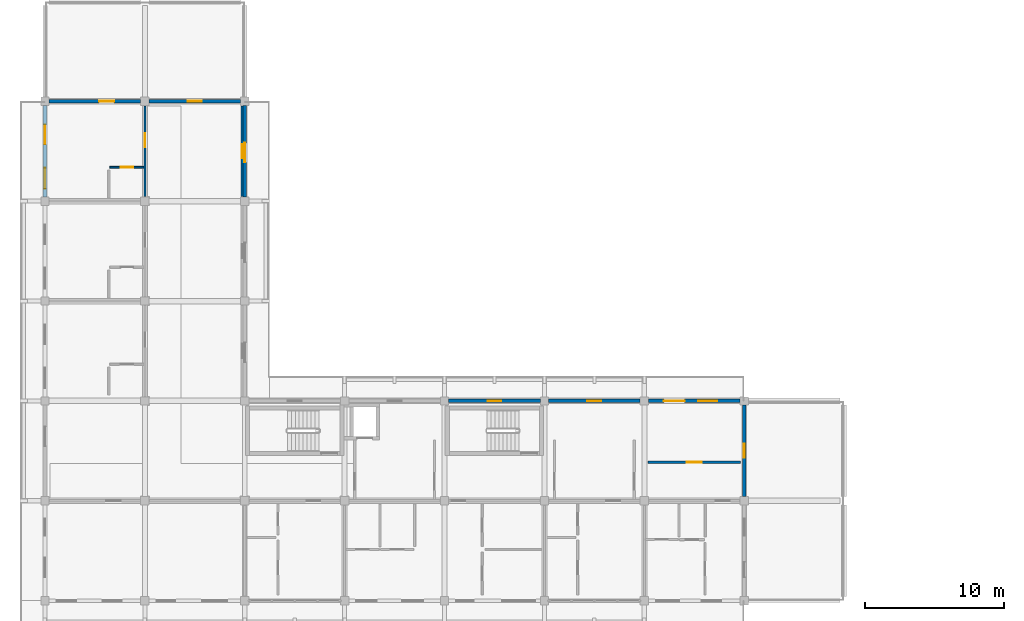
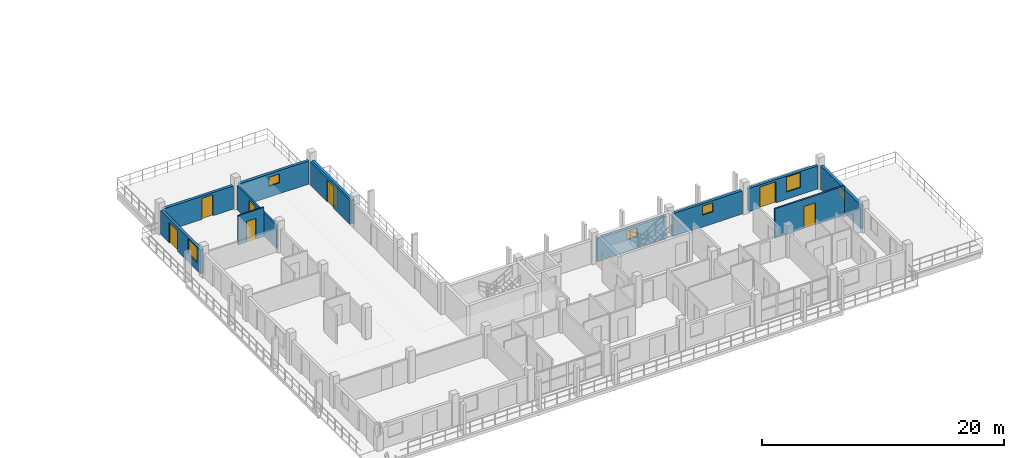
# One storey, part 43 of 78: 12 walls, 8 doors, 6 windows, 14 openings.
"""IFC4 building model written with IfcOpenShell, lengths in metres."""

from ifc_helpers import new_model, si_unit, direction, frame, frame_2d, origin, place, context, subcontext, project, spatial, rectangle, extrude, material, layer, layer_set, type_object, element, fill, save


model = new_model("IFC4")

# Units and contexts
model_context = context("Model", 3, precision=1e-05, world=origin(), true_north=direction((0.0, 1.0)))
body_context = subcontext(model_context, "Body", "Model", "MODEL_VIEW")
ifc_project = project(units=[si_unit("LENGTHUNIT", "METRE"), si_unit("AREAUNIT", "SQUARE_METRE"), si_unit("VOLUMEUNIT", "CUBIC_METRE"), si_unit("PLANEANGLEUNIT", "RADIAN"), si_unit("MASSUNIT", "GRAM", prefix="KILO")], contexts=[model_context])

# Site, building, storey
site_placement = place(None, origin())
site = spatial("IfcSite", under=ifc_project, at=site_placement, CompositionType="ELEMENT")
building_placement = place(site_placement, origin())
building = spatial("IfcBuilding", under=site, at=building_placement, Name="Suanplinth Sawtooth Commons", CompositionType="ELEMENT")
storey_placement = place(building_placement, frame((0.0, 0.0, 15.39990234375)))
storey = spatial("IfcBuildingStorey", under=building, at=storey_placement, Name="L04", CompositionType="ELEMENT", Elevation=15.39990234375)

# Wall, opening, door
ifc_material_1 = material(Name="Precast concrete C40/50", Category="concrete")
ifc_layer_1 = layer(ifc_material_1, 0.260009765625, Name="Insulated precast courtyard facade wall 260mm")
ifc_layer_set_1 = layer_set([ifc_layer_1], Name="Precast concrete C40/50")
wall_type_1 = type_object("IfcWallType", Name="W-EX02", PredefinedType="ELEMENTEDWALL", material=ifc_layer_set_1)
wall_1_placement = place(storey_placement, frame((0.300048828125, 36.0, 0.0), z_axis=(0.0, 0.0, 1.0), x_axis=(1.0, 0.0, 0.0)))
wall_1 = element("IfcWall", 1, at=wall_1_placement, inside=storey, type_object=wall_type_1, Name="Facade Wall W-L04-D-N-0-4", PredefinedType="ELEMENTEDWALL", context=body_context, shape_type="SweptSolid", body=[
    extrude(rectangle(XDim=6.599853515625, YDim=0.260009765625, at=frame_2d((3.2998046875, 0.0))), origin(), (0.0, 0.0, 1.0), 2.335205078125),
])
opening_1_placement = place(wall_1_placement, frame((3.60009765625, 0.0, 0.0)))
opening_1 = element("IfcOpeningElement", 2, at=opening_1_placement, cuts=wall_1, Name="Opening ED0384", PredefinedType="OPENING", context=body_context, shape_type="SweptSolid", body=[
    extrude(rectangle(XDim=1.080078125, YDim=2.1201171875, at=frame_2d((0.5400390625, 1.06005859375))), frame((0.0, 0.14501953125, 0.0), z_axis=(0.0, -1.0, 0.0), x_axis=(1.0, 0.0, 0.0)), (0.0, 0.0, 1.0), 0.289794921875),
])
ifc_material_2 = material(Name="Anodized aluminium and low-E glass", Category="aluminium")
door_type_1 = type_object("IfcDoorType", Name="ED-10", OperationType="NOTDEFINED", PredefinedType="DOOR", material=ifc_material_2)
door_1_placement = place(opening_1_placement, frame((1.080078125, 0.0, 0.0), z_axis=(0.0, 0.0, 1.0), x_axis=(-1.0, 0.0, 0.0)))
door_1 = element("IfcDoor", 3, at=door_1_placement, inside=storey, type_object=door_type_1, Name="L04 Block D Stepped Sky-Terrace Door 1", OperationType="SINGLE_SWING_RIGHT", OverallHeight=2.1201171875, OverallWidth=1.080078125, PredefinedType="DOOR", context=body_context, shape_type="SweptSolid", body=[
    extrude(rectangle(XDim=1.080078125, YDim=2.1201171875, at=frame_2d((0.5400390625, 1.06005859375))), frame((0.0, 0.02490234375, 0.0), z_axis=(0.0, -1.0, 0.0), x_axis=(1.0, 0.0, 0.0)), (0.0, 0.0, 1.0), 0.050048828125),
])
fill(opening_1, door_1)

# Wall, openings, door, window
wall_2_placement = place(storey_placement, frame((0.0, 29.10009765625, 0.0), z_axis=(0.0, 0.0, 1.0), x_axis=(0.0, 1.0, 0.0)))
wall_2 = element("IfcWall", 4, at=wall_2_placement, inside=storey, type_object=wall_type_1, Name="Facade Wall W-L04-D-W-0-4", PredefinedType="ELEMENTEDWALL", context=body_context, shape_type="SweptSolid", body=[
    extrude(rectangle(XDim=6.599853515625, YDim=0.260009765625, at=frame_2d((3.2998046875, 0.0))), origin(), (0.0, 0.0, 1.0), 2.43017578125),
])
opening_2_placement = place(wall_2_placement, frame((3.800048828125, 0.0, 0.0)))
opening_2 = element("IfcOpeningElement", 5, at=opening_2_placement, cuts=wall_2, Name="Opening ED0385", PredefinedType="OPENING", context=body_context, shape_type="SweptSolid", body=[
    extrude(rectangle(XDim=1.39990234375, YDim=2.10009765625, at=frame_2d((0.699951171875, 1.050048828125))), frame((0.0, 0.14501953125, 0.0), z_axis=(0.0, -1.0, 0.0), x_axis=(1.0, 0.0, 0.0)), (0.0, 0.0, 1.0), 0.289794921875),
])
opening_3_placement = place(wall_2_placement, frame((0.60009765625, 0.0, 0.81005859375)))
opening_3 = element("IfcOpeningElement", 6, at=opening_3_placement, cuts=wall_2, Name="Opening W0480", PredefinedType="OPENING", context=body_context, shape_type="SweptSolid", body=[
    extrude(rectangle(XDim=1.5, YDim=1.5, at=frame_2d((0.75, 0.75))), frame((0.0, 0.14501953125, 0.0), z_axis=(0.0, -1.0, 0.0), x_axis=(1.0, 0.0, 0.0)), (0.0, 0.0, 1.0), 0.289794921875),
])
door_type_2 = type_object("IfcDoorType", Name="SD-07", OperationType="SLIDING_TO_RIGHT", PredefinedType="DOOR", material=ifc_material_2)
door_2_placement = place(opening_2_placement, frame((1.39990234375, 0.0, 0.0), z_axis=(0.0, 0.0, 1.0), x_axis=(-1.0, 0.0, 0.0)))
door_2 = element("IfcDoor", 7, at=door_2_placement, inside=storey, type_object=door_type_2, Name="Wing Balcony Sliding Door L04-D-4", OperationType="SLIDING_TO_RIGHT", OverallHeight=2.10009765625, OverallWidth=1.39990234375, PredefinedType="DOOR", context=body_context, shape_type="SweptSolid", body=[
    extrude(rectangle(XDim=1.39990234375, YDim=2.10009765625, at=frame_2d((0.699951171875, 1.050048828125))), frame((0.0, 0.02490234375, 0.0), z_axis=(0.0, -1.0, 0.0), x_axis=(1.0, 0.0, 0.0)), (0.0, 0.0, 1.0), 0.050048828125),
])
fill(opening_2, door_2)
ifc_material_3 = material(Name="Thermally broken aluminium and low-E double glazing", Category="aluminium")
window_type_1 = type_object("IfcWindowType", Name="WN-02", PartitioningType="DOUBLE_PANEL_VERTICAL", PredefinedType="WINDOW", material=ifc_material_3)
window_1_placement = place(opening_3_placement, origin())
window_1 = element("IfcWindow", 8, at=window_1_placement, inside=storey, type_object=window_type_1, Name="Wing Window L04-D-4", OverallHeight=1.5, OverallWidth=1.5, PartitioningType="DOUBLE_PANEL_VERTICAL", PredefinedType="WINDOW", context=body_context, shape_type="SweptSolid", body=[
    extrude(rectangle(XDim=1.5, YDim=1.5, at=frame_2d((0.75, 0.75))), frame((0.0, 0.030029296875, 0.0), z_axis=(0.0, -1.0, 0.0), x_axis=(1.0, 0.0, 0.0)), (0.0, 0.0, 1.0), 0.06005859375),
])
fill(opening_3, window_1)

# Wall, opening, window
wall_3_placement = place(storey_placement, frame((7.5, 36.0, 0.0), z_axis=(0.0, 0.0, 1.0), x_axis=(1.0, 0.0, 0.0)))
wall_3 = element("IfcWall", 9, at=wall_3_placement, inside=storey, type_object=wall_type_1, Name="Facade Wall W-L04-D-N-1-4", PredefinedType="ELEMENTEDWALL", context=body_context, shape_type="SweptSolid", body=[
    extrude(rectangle(XDim=6.60009765625, YDim=0.260009765625, at=frame_2d((3.300048828125, 0.0))), origin(), (0.0, 0.0, 1.0), 2.335205078125),
])
opening_4_placement = place(wall_3_placement, frame((2.800048828125, 0.0, 1.10009765625)))
opening_4 = element("IfcOpeningElement", 10, at=opening_4_placement, cuts=wall_3, Name="Opening W0482", PredefinedType="OPENING", context=body_context, shape_type="SweptSolid", body=[
    extrude(rectangle(XDim=1.0, YDim=0.89990234375, at=frame_2d((0.5, 0.449951171875))), frame((0.0, 0.14501953125, 0.0), z_axis=(0.0, -1.0, 0.0), x_axis=(1.0, 0.0, 0.0)), (0.0, 0.0, 1.0), 0.289794921875),
])
window_type_2 = type_object("IfcWindowType", Name="WN-12", PartitioningType="SINGLE_PANEL", PredefinedType="WINDOW", material=ifc_material_3)
window_2_placement = place(opening_4_placement, origin())
window_2 = element("IfcWindow", 11, at=window_2_placement, inside=storey, type_object=window_type_2, Name="End Window L04-D-N-1-4", OverallHeight=0.89990234375, OverallWidth=1.0, PartitioningType="SINGLE_PANEL", PredefinedType="WINDOW", context=body_context, shape_type="SweptSolid", body=[
    extrude(rectangle(XDim=1.0, YDim=0.89990234375, at=frame_2d((0.5, 0.449951171875))), frame((0.0, 0.030029296875, 0.0), z_axis=(0.0, -1.0, 0.0), x_axis=(1.0, 0.0, 0.0)), (0.0, 0.0, 1.0), 0.06005859375),
])
fill(opening_4, window_2)

# Wall, opening, door
wall_4_placement = place(storey_placement, frame((14.39990234375, 29.10009765625, 0.0), z_axis=(0.0, 0.0, 1.0), x_axis=(0.0, 1.0, 0.0)))
wall_4 = element("IfcWall", 12, at=wall_4_placement, inside=storey, type_object=wall_type_1, Name="Facade Wall W-L04-D-E-1-4", PredefinedType="ELEMENTEDWALL", context=body_context, shape_type="SweptSolid", body=[
    extrude(rectangle(XDim=6.599853515625, YDim=0.260009765625, at=frame_2d((3.2998046875, 0.0))), origin(), (0.0, 0.0, 1.0), 2.385009765625),
])
opening_5_placement = place(wall_4_placement, frame((2.5, 0.0, 0.0)))
opening_5 = element("IfcOpeningElement", 13, at=opening_5_placement, cuts=wall_4, Name="Opening ED0389", PredefinedType="OPENING", context=body_context, shape_type="SweptSolid", body=[
    extrude(rectangle(XDim=1.39990234375, YDim=2.10009765625, at=frame_2d((0.699951171875, 1.050048828125))), frame((0.0, 0.14501953125, 0.0), z_axis=(0.0, -1.0, 0.0), x_axis=(1.0, 0.0, 0.0)), (0.0, 0.0, 1.0), 0.289794921875),
])
door_3_placement = place(opening_5_placement, frame((1.39990234375, 0.0, 0.0), z_axis=(0.0, 0.0, 1.0), x_axis=(-1.0, 0.0, 0.0)))
door_3 = element("IfcDoor", 14, at=door_3_placement, inside=storey, type_object=door_type_2, Name="Courtyard Veranda Studio Balcony Door L04-D-4", OperationType="SLIDING_TO_RIGHT", OverallHeight=2.10009765625, OverallWidth=1.39990234375, PredefinedType="DOOR", context=body_context, shape_type="SweptSolid", body=[
    extrude(rectangle(XDim=1.39990234375, YDim=2.10009765625, at=frame_2d((0.699951171875, 1.050048828125))), frame((0.0, 0.02490234375, 0.0), z_axis=(0.0, -1.0, 0.0), x_axis=(1.0, 0.0, 0.0)), (0.0, 0.0, 1.0), 0.050048828125),
])
fill(opening_5, door_3)

# Wall, opening, window
wall_5_placement = place(storey_placement, frame((29.10009765625, 14.39990234375, 0.0), z_axis=(0.0, 0.0, 1.0), x_axis=(1.0, 0.0, 0.0)))
wall_5 = element("IfcWall", 15, at=wall_5_placement, inside=storey, type_object=wall_type_1, Name="Facade Wall W-L04-D-N-4-1", PredefinedType="ELEMENTEDWALL", context=body_context, shape_type="SweptSolid", body=[
    extrude(rectangle(XDim=6.599853515625, YDim=0.260009765625, at=frame_2d((3.2998046875, 0.0))), origin(), (0.0, 0.0, 1.0), 2.335205078125),
])
opening_6_placement = place(wall_5_placement, frame((2.800048828125, 0.0, 1.199951171875)))
opening_6 = element("IfcOpeningElement", 16, at=opening_6_placement, cuts=wall_5, Name="Opening W0487", PredefinedType="OPENING", context=body_context, shape_type="SweptSolid", body=[
    extrude(rectangle(XDim=1.0, YDim=0.89990234375, at=frame_2d((0.5, 0.449951171875))), frame((0.0, 0.14501953125, 0.0), z_axis=(0.0, -1.0, 0.0), x_axis=(1.0, 0.0, 0.0)), (0.0, 0.0, 1.0), 0.289794921875),
])
window_3_placement = place(opening_6_placement, origin())
window_3 = element("IfcWindow", 17, at=window_3_placement, inside=storey, type_object=window_type_2, Name="Core Daylight Window L04-D-4-1", OverallHeight=0.89990234375, OverallWidth=1.0, PartitioningType="SINGLE_PANEL", PredefinedType="WINDOW", context=body_context, shape_type="SweptSolid", body=[
    extrude(rectangle(XDim=1.0, YDim=0.89990234375, at=frame_2d((0.5, 0.449951171875))), frame((0.0, 0.030029296875, 0.0), z_axis=(0.0, -1.0, 0.0), x_axis=(1.0, 0.0, 0.0)), (0.0, 0.0, 1.0), 0.06005859375),
])
fill(opening_6, window_3)

wall_6_placement = place(storey_placement, frame((36.300048828125, 14.39990234375, 0.0), z_axis=(0.0, 0.0, 1.0), x_axis=(1.0, 0.0, 0.0)))
wall_6 = element("IfcWall", 18, at=wall_6_placement, inside=storey, type_object=wall_type_1, Name="Facade Wall W-L04-D-N-5-1", PredefinedType="ELEMENTEDWALL", context=body_context, shape_type="SweptSolid", body=[
    extrude(rectangle(XDim=6.599853515625, YDim=0.260009765625, at=frame_2d((3.2998046875, 0.0))), origin(), (0.0, 0.0, 1.0), 2.335205078125),
])
opening_7_placement = place(wall_6_placement, frame((2.800048828125, 0.0, 1.199951171875)))
opening_7 = element("IfcOpeningElement", 19, at=opening_7_placement, cuts=wall_6, Name="Opening W0488", PredefinedType="OPENING", context=body_context, shape_type="SweptSolid", body=[
    extrude(rectangle(XDim=1.0, YDim=0.89990234375, at=frame_2d((0.5, 0.449951171875))), frame((0.0, 0.14501953125, 0.0), z_axis=(0.0, -1.0, 0.0), x_axis=(1.0, 0.0, 0.0)), (0.0, 0.0, 1.0), 0.289794921875),
])
window_4_placement = place(opening_7_placement, origin())
window_4 = element("IfcWindow", 20, at=window_4_placement, inside=storey, type_object=window_type_2, Name="Core Daylight Window L04-D-5-1", OverallHeight=0.89990234375, OverallWidth=1.0, PartitioningType="SINGLE_PANEL", PredefinedType="WINDOW", context=body_context, shape_type="SweptSolid", body=[
    extrude(rectangle(XDim=1.0, YDim=0.89990234375, at=frame_2d((0.5, 0.449951171875))), frame((0.0, 0.030029296875, 0.0), z_axis=(0.0, -1.0, 0.0), x_axis=(1.0, 0.0, 0.0)), (0.0, 0.0, 1.0), 0.06005859375),
])
fill(opening_7, window_4)

# Wall, openings, door, window
wall_7_placement = place(storey_placement, frame((43.5, 14.39990234375, 0.0), z_axis=(0.0, 0.0, 1.0), x_axis=(1.0, 0.0, 0.0)))
wall_7 = element("IfcWall", 21, at=wall_7_placement, inside=storey, type_object=wall_type_1, Name="Facade Wall W-L04-D-N-6-1", PredefinedType="ELEMENTEDWALL", context=body_context, shape_type="SweptSolid", body=[
    extrude(rectangle(XDim=6.60009765625, YDim=0.260009765625, at=frame_2d((3.300048828125, 0.0))), origin(), (0.0, 0.0, 1.0), 2.335205078125),
])
opening_8_placement = place(wall_7_placement, frame((1.10009765625, 0.0, 0.0)))
opening_8 = element("IfcOpeningElement", 22, at=opening_8_placement, cuts=wall_7, Name="Opening ED0394", PredefinedType="OPENING", context=body_context, shape_type="SweptSolid", body=[
    extrude(rectangle(XDim=1.5, YDim=2.1201171875, at=frame_2d((0.75, 1.06005859375))), frame((0.0, 0.14501953125, 0.0), z_axis=(0.0, -1.0, 0.0), x_axis=(1.0, 0.0, 0.0)), (0.0, 0.0, 1.0), 0.289794921875),
])
opening_9_placement = place(wall_7_placement, frame((3.60009765625, 0.0, 0.72509765625)))
opening_9 = element("IfcOpeningElement", 23, at=opening_9_placement, cuts=wall_7, Name="Opening W0491", PredefinedType="OPENING", context=body_context, shape_type="SweptSolid", body=[
    extrude(rectangle(XDim=1.35009765625, YDim=1.5, at=frame_2d((0.675048828125, 0.75))), frame((0.0, 0.14501953125, 0.0), z_axis=(0.0, -1.0, 0.0), x_axis=(1.0, 0.0, 0.0)), (0.0, 0.0, 1.0), 0.289794921875),
])
door_type_3 = type_object("IfcDoorType", Name="SD-03", OperationType="SLIDING_TO_LEFT", PredefinedType="DOOR", material=ifc_material_2)
door_4_placement = place(opening_8_placement, frame((1.5, 0.0, 0.0), z_axis=(0.0, 0.0, 1.0), x_axis=(-1.0, 0.0, 0.0)))
door_4 = element("IfcDoor", 24, at=door_4_placement, inside=storey, type_object=door_type_3, Name="Courtyard Balcony Door L04-D-6", OperationType="SLIDING_TO_LEFT", OverallHeight=2.1201171875, OverallWidth=1.5, PredefinedType="DOOR", context=body_context, shape_type="SweptSolid", body=[
    extrude(rectangle(XDim=1.5, YDim=2.1201171875, at=frame_2d((0.75, 1.06005859375))), frame((0.0, 0.02490234375, 0.0), z_axis=(0.0, -1.0, 0.0), x_axis=(1.0, 0.0, 0.0)), (0.0, 0.0, 1.0), 0.050048828125),
])
fill(opening_8, door_4)
window_type_3 = type_object("IfcWindowType", Name="WN-14", PartitioningType="SINGLE_PANEL", PredefinedType="WINDOW", material=ifc_material_3)
window_5_placement = place(opening_9_placement, origin())
window_5 = element("IfcWindow", 25, at=window_5_placement, inside=storey, type_object=window_type_3, Name="Courtyard Window L04-D-6", OverallHeight=1.5, OverallWidth=1.35009765625, PartitioningType="SINGLE_PANEL", PredefinedType="WINDOW", context=body_context, shape_type="SweptSolid", body=[
    extrude(rectangle(XDim=1.35009765625, YDim=1.5, at=frame_2d((0.675048828125, 0.75))), frame((0.0, 0.030029296875, 0.0), z_axis=(0.0, -1.0, 0.0), x_axis=(1.0, 0.0, 0.0)), (0.0, 0.0, 1.0), 0.06005859375),
])
fill(opening_9, window_5)

# Wall, opening, window
wall_8_placement = place(storey_placement, frame((50.39990234375, 7.5, 0.0), z_axis=(0.0, 0.0, 1.0), x_axis=(0.0, 1.0, 0.0)))
wall_8 = element("IfcWall", 26, at=wall_8_placement, inside=storey, type_object=wall_type_1, Name="Facade Wall W-L04-D-E-6-1", PredefinedType="ELEMENTEDWALL", context=body_context, shape_type="SweptSolid", body=[
    extrude(rectangle(XDim=6.60009765625, YDim=0.260009765625, at=frame_2d((3.300048828125, 0.0))), origin(), (0.0, 0.0, 1.0), 2.385009765625),
])
opening_10_placement = place(wall_8_placement, frame((2.800048828125, 0.0, 1.10009765625)))
opening_10 = element("IfcOpeningElement", 27, at=opening_10_placement, cuts=wall_8, Name="Opening W0492", PredefinedType="OPENING", context=body_context, shape_type="SweptSolid", body=[
    extrude(rectangle(XDim=1.0, YDim=0.89990234375, at=frame_2d((0.5, 0.449951171875))), frame((0.0, 0.14501953125, 0.0), z_axis=(0.0, -1.0, 0.0), x_axis=(1.0, 0.0, 0.0)), (0.0, 0.0, 1.0), 0.289794921875),
])
window_6_placement = place(opening_10_placement, origin())
window_6 = element("IfcWindow", 28, at=window_6_placement, inside=storey, type_object=window_type_2, Name="End Window L04-D-E-6-1", OverallHeight=0.89990234375, OverallWidth=1.0, PartitioningType="SINGLE_PANEL", PredefinedType="WINDOW", context=body_context, shape_type="SweptSolid", body=[
    extrude(rectangle(XDim=1.0, YDim=0.89990234375, at=frame_2d((0.5, 0.449951171875))), frame((0.0, 0.030029296875, 0.0), z_axis=(0.0, -1.0, 0.0), x_axis=(1.0, 0.0, 0.0)), (0.0, 0.0, 1.0), 0.06005859375),
])
fill(opening_10, window_6)

# Wall, opening, door
ifc_layer_2 = layer(ifc_material_1, 0.159912109375, Name="Fire-rated corridor and lobby wall 160mm")
ifc_layer_set_2 = layer_set([ifc_layer_2], Name="Precast concrete C40/50")
wall_type_2 = type_object("IfcWallType", Name="W-FW01", PredefinedType="PARTITIONING", material=ifc_layer_set_2)
wall_9_placement = place(storey_placement, frame((43.47998046875, 9.97998046875, 0.0), z_axis=(0.0, 0.0, 1.0), x_axis=(1.0, 0.0, 0.0)))
wall_9 = element("IfcWall", 29, at=wall_9_placement, inside=storey, type_object=wall_type_2, Name="W-D-L04-COURTROOM-64-COR", PredefinedType="PARTITIONING", context=body_context, shape_type="SweptSolid", body=[
    extrude(rectangle(XDim=6.64013671875, YDim=0.159912109375, at=frame_2d((3.320068359375, 0.0))), origin(), (0.0, 0.0, 1.0), 2.9501953125),
])
opening_11_placement = place(wall_9_placement, frame((2.780029296875, 0.0, 0.0)))
opening_11 = element("IfcOpeningElement", 30, at=opening_11_placement, cuts=wall_9, Name="Opening D1187", PredefinedType="OPENING", context=body_context, shape_type="SweptSolid", body=[
    extrude(rectangle(XDim=1.080078125, YDim=2.219970703125, at=frame_2d((0.5400390625, 1.10986328125))), frame((0.0, 0.0947265625, 0.0), z_axis=(0.0, -1.0, 0.0), x_axis=(1.0, 0.0, 0.0)), (0.0, 0.0, 1.0), 0.189697265625),
])
ifc_material_4 = material(Name="Teak hardwood", Category="wood")
door_type_4 = type_object("IfcDoorType", Name="D-17", OperationType="NOTDEFINED", PredefinedType="DOOR", material=ifc_material_4)
door_5_placement = place(opening_11_placement, origin())
door_5 = element("IfcDoor", 31, at=door_5_placement, inside=storey, type_object=door_type_4, Name="Study Studio Door D1187", OperationType="SINGLE_SWING_LEFT", OverallHeight=2.219970703125, OverallWidth=1.080078125, PredefinedType="DOOR", context=body_context, shape_type="SweptSolid", body=[
    extrude(rectangle(XDim=1.080078125, YDim=2.219970703125, at=frame_2d((0.5400390625, 1.10986328125))), frame((0.0, 0.02490234375, 0.0), z_axis=(0.0, -1.0, 0.0), x_axis=(1.0, 0.0, 0.0)), (0.0, 0.0, 1.0), 0.050048828125),
])
fill(opening_11, door_5)

wall_10_placement = place(storey_placement, frame((7.199951171875, 29.1298828125, 0.0), z_axis=(0.0, 0.0, 1.0), x_axis=(0.0, 1.0, 0.0)))
wall_10 = element("IfcWall", 32, at=wall_10_placement, inside=storey, type_object=wall_type_2, Name="W-D-L04-L03-COR", PredefinedType="PARTITIONING", context=body_context, shape_type="SweptSolid", body=[
    extrude(rectangle(XDim=6.5400390625, YDim=0.159912109375, at=frame_2d((3.27001953125, 0.0))), origin(), (0.0, 0.0, 1.0), 2.385009765625),
])
opening_12_placement = place(wall_10_placement, frame((3.570068359375, 0.0, 0.0)))
opening_12 = element("IfcOpeningElement", 33, at=opening_12_placement, cuts=wall_10, Name="Opening FD1194", PredefinedType="OPENING", context=body_context, shape_type="SweptSolid", body=[
    extrude(rectangle(XDim=1.0, YDim=2.14990234375, at=frame_2d((0.5, 1.074951171875))), frame((0.0, 0.0947265625, 0.0), z_axis=(0.0, -1.0, 0.0), x_axis=(1.0, 0.0, 0.0)), (0.0, 0.0, 1.0), 0.189697265625),
])
ifc_material_5 = material(Name="Teak hardwood fire-rated door assembly", Category="wood")
door_type_5 = type_object("IfcDoorType", Name="FD-03", OperationType="NOTDEFINED", PredefinedType="DOOR", material=ifc_material_5)
door_6_placement = place(opening_12_placement, origin())
door_6 = element("IfcDoor", 34, at=door_6_placement, inside=storey, type_object=door_type_5, Name="Wing Unit Entrance Door FD1194", OperationType="SINGLE_SWING_RIGHT", OverallHeight=2.14990234375, OverallWidth=1.0, PredefinedType="DOOR", context=body_context, shape_type="SweptSolid", body=[
    extrude(rectangle(XDim=1.0, YDim=2.14990234375, at=frame_2d((0.5, 1.074951171875))), frame((0.0, 0.02490234375, 0.0), z_axis=(0.0, -1.0, 0.0), x_axis=(1.0, 0.0, 0.0)), (0.0, 0.0, 1.0), 0.050048828125),
])
fill(opening_12, door_6)

wall_11_placement = place(storey_placement, frame((14.199951171875, 29.1298828125, 0.0), z_axis=(0.0, 0.0, 1.0), x_axis=(0.0, 1.0, 0.0)))
wall_11 = element("IfcWall", 35, at=wall_11_placement, inside=storey, type_object=wall_type_2, Name="W-D-L04-LEGCOURTROOM-70-COR", PredefinedType="PARTITIONING", context=body_context, shape_type="SweptSolid", body=[
    extrude(rectangle(XDim=6.5400390625, YDim=0.159912109375, at=frame_2d((3.27001953125, 0.0))), origin(), (0.0, 0.0, 1.0), 2.385009765625),
])
opening_13_placement = place(wall_11_placement, frame((2.760009765625, 0.0, 0.0)))
opening_13 = element("IfcOpeningElement", 36, at=opening_13_placement, cuts=wall_11, Name="Opening D1196", PredefinedType="OPENING", context=body_context, shape_type="SweptSolid", body=[
    extrude(rectangle(XDim=1.02001953125, YDim=2.179931640625, at=frame_2d((0.510009765625, 1.08984375))), frame((0.0, 0.0947265625, 0.0), z_axis=(0.0, -1.0, 0.0), x_axis=(1.0, 0.0, 0.0)), (0.0, 0.0, 1.0), 0.189697265625),
])
door_type_6 = type_object("IfcDoorType", Name="D-16", OperationType="NOTDEFINED", PredefinedType="DOOR", material=ifc_material_4)
door_7_placement = place(opening_13_placement, frame((1.02001953125, 0.0, 0.0), z_axis=(0.0, 0.0, 1.0), x_axis=(-1.0, 0.0, 0.0)))
door_7 = element("IfcDoor", 37, at=door_7_placement, inside=storey, type_object=door_type_6, Name="Veranda Studio Door D1196", OperationType="SINGLE_SWING_RIGHT", OverallHeight=2.179931640625, OverallWidth=1.02001953125, PredefinedType="DOOR", context=body_context, shape_type="SweptSolid", body=[
    extrude(rectangle(XDim=1.02001953125, YDim=2.179931640625, at=frame_2d((0.510009765625, 1.08984375))), frame((0.0, 0.02490234375, 0.0), z_axis=(0.0, -1.0, 0.0), x_axis=(1.0, 0.0, 0.0)), (0.0, 0.0, 1.0), 0.050048828125),
])
fill(opening_13, door_7)

ifc_material_6 = material(Name="Gypsum plasterboard on steel stud", Category="steel")
ifc_layer_3 = layer(ifc_material_6, 0.1298828125, Name="Moisture-resistant bathroom partition 130mm")
ifc_layer_set_3 = layer_set([ifc_layer_3], Name="Gypsum plasterboard on steel stud")
wall_type_3 = type_object("IfcWallType", Name="W-PT02", PredefinedType="PARTITIONING", material=ifc_layer_set_3)
wall_12_placement = place(storey_placement, frame((4.669921875, 31.2451171875, 0.0), z_axis=(0.0, 0.0, 1.0), x_axis=(1.0, 0.0, 0.0)))
wall_12 = element("IfcWall", 38, at=wall_12_placement, inside=storey, type_object=wall_type_3, Name="W-D-L04-L03-BTH1", PredefinedType="PARTITIONING", context=body_context, shape_type="SweptSolid", body=[
    extrude(rectangle(XDim=2.4501953125, YDim=0.1298828125, at=frame_2d((1.22509765625, 0.0))), origin(), (0.0, 0.0, 1.0), 2.9501953125),
])
opening_14_placement = place(wall_12_placement, frame((0.77490234375, 0.0, 0.0)))
opening_14 = element("IfcOpeningElement", 39, at=opening_14_placement, cuts=wall_12, Name="Opening D1195", PredefinedType="OPENING", context=body_context, shape_type="SweptSolid", body=[
    extrude(rectangle(XDim=0.89990234375, YDim=2.10009765625, at=frame_2d((0.449951171875, 1.050048828125))), frame((0.0, 0.079833984375, 0.0), z_axis=(0.0, -1.0, 0.0), x_axis=(1.0, 0.0, 0.0)), (0.0, 0.0, 1.0), 0.15966796875),
])
door_type_7 = type_object("IfcDoorType", Name="D-01", OperationType="NOTDEFINED", PredefinedType="DOOR", material=ifc_material_4)
door_8_placement = place(opening_14_placement, frame((0.89990234375, 0.0, 0.0), z_axis=(0.0, 0.0, 1.0), x_axis=(-1.0, 0.0, 0.0)))
door_8 = element("IfcDoor", 40, at=door_8_placement, inside=storey, type_object=door_type_7, Name="Bathroom Door D1195", OperationType="SINGLE_SWING_LEFT", OverallHeight=2.10009765625, OverallWidth=0.89990234375, PredefinedType="DOOR", context=body_context, shape_type="SweptSolid", body=[
    extrude(rectangle(XDim=0.89990234375, YDim=2.10009765625, at=frame_2d((0.449951171875, 1.050048828125))), frame((0.0, 0.02490234375, 0.0), z_axis=(0.0, -1.0, 0.0), x_axis=(1.0, 0.0, 0.0)), (0.0, 0.0, 1.0), 0.050048828125),
])
fill(opening_14, door_8)

save(model, "model.ifc")
